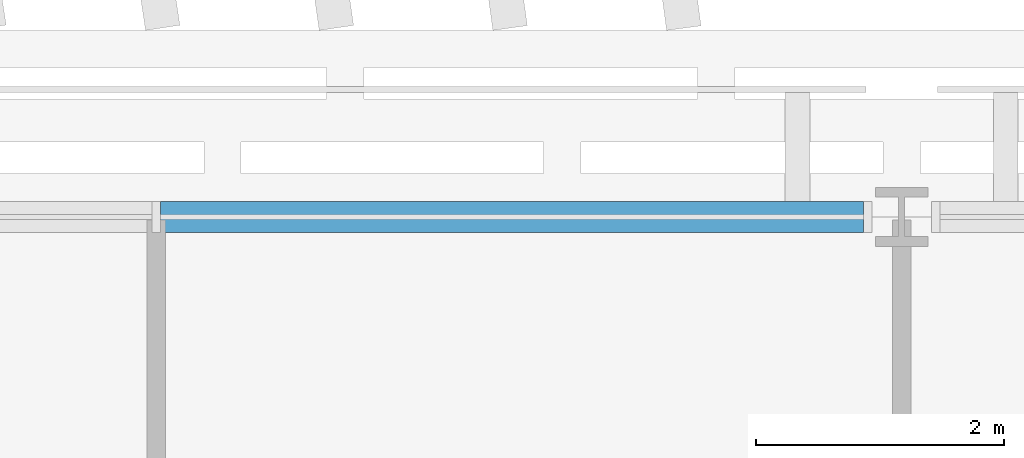
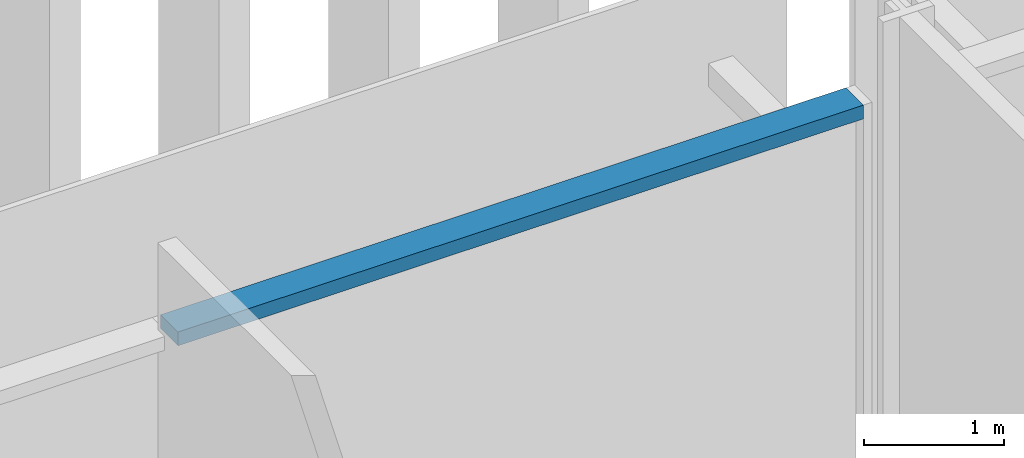
# One storey, part 5 of 29: 1 member, 1 element without a shape of its own.
"""IFC4 building model written with IfcOpenShell, lengths in metres."""

from ifc_helpers import new_model, si_unit, direction, frame, origin, origin_2d, place, context, subcontext, project, spatial, rectangle, extrude, material, material_profile, profile_set, type_object, element, aggregate, save


model = new_model("IFC4")

# Units and contexts
model_context = context("Model", 3, precision=1e-05, world=origin(), true_north=direction((0.0, 1.0)))
body_context = subcontext(model_context, "Body", "Model", "MODEL_VIEW")
ifc_project = project(units=[si_unit("LENGTHUNIT", "METRE"), si_unit("AREAUNIT", "SQUARE_METRE"), si_unit("VOLUMEUNIT", "CUBIC_METRE"), si_unit("PLANEANGLEUNIT", "RADIAN"), si_unit("MASSUNIT", "GRAM", prefix="KILO")], contexts=[model_context])

# Site, building, storey
site_placement = place(None, origin())
site = spatial("IfcSite", under=ifc_project, at=site_placement, CompositionType="ELEMENT")
building_placement = place(site_placement, origin())
building = spatial("IfcBuilding", under=site, at=building_placement, Name="Mahtab Terrace Research Tower", CompositionType="ELEMENT")
storey_placement = place(building_placement, frame((0.0, 0.0, 46.0)))
storey = spatial("IfcBuildingStorey", under=building, at=storey_placement, Name="L10", CompositionType="ELEMENT", Elevation=46.0)

# Curtain wall, member
ifc_material_1 = material(Name="Sky lounge full-height curtain wall")
curtain_wall_type = type_object("IfcCurtainWallType", Name="Sky lounge full-height curtain wall", PredefinedType="NOTDEFINED", material=ifc_material_1)
curtain_wall_placement = place(storey_placement, origin())
curtain_wall = element("IfcCurtainWall", 1, at=curtain_wall_placement, inside=storey, type_object=curtain_wall_type, Name="EN.L10.3.6", PredefinedType="NOTDEFINED")
ifc_material_2 = material(Name="Natural anodised aluminium", Category="aluminium")
ifc_material_profile = material_profile(ifc_material_2, rectangle(XDim=0.25, YDim=0.1201171875, at=origin_2d()), Name="TRANSOM 120x250")
ifc_profile_set = profile_set([ifc_material_profile], Name="Natural anodised aluminium")
member_type = type_object("IfcMemberType", Name="Sky lounge full-height curtain wall transom", PredefinedType="USERDEFINED", material=ifc_profile_set)
member_placement = place(storey_placement, frame((17.69189453125, 23.0, 3.14306640625), z_axis=(-1.0, 0.0, 0.0), x_axis=(0.0, -1.0, 0.0)))
member = element("IfcMember", 2, at=member_placement, type_object=member_type, Name="CWS-2 transom 1", ObjectType="TRANSOM", PredefinedType="USERDEFINED", context=body_context, shape_type="SweptSolid", body=[
    extrude(rectangle(XDim=0.25, YDim=0.1201171875, at=origin_2d()), origin(), (0.0, 0.0, 1.0), 5.656982421875),
])
aggregate(curtain_wall, [member])

save(model, "model.ifc")
